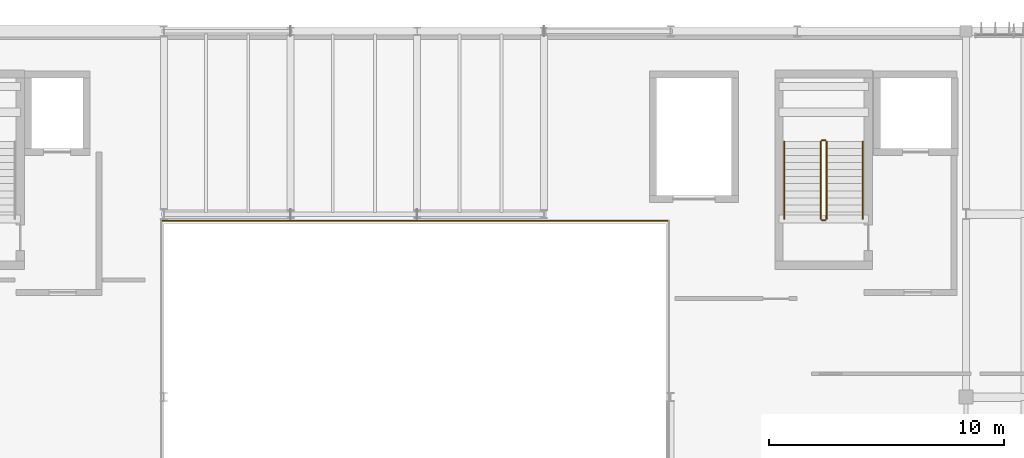
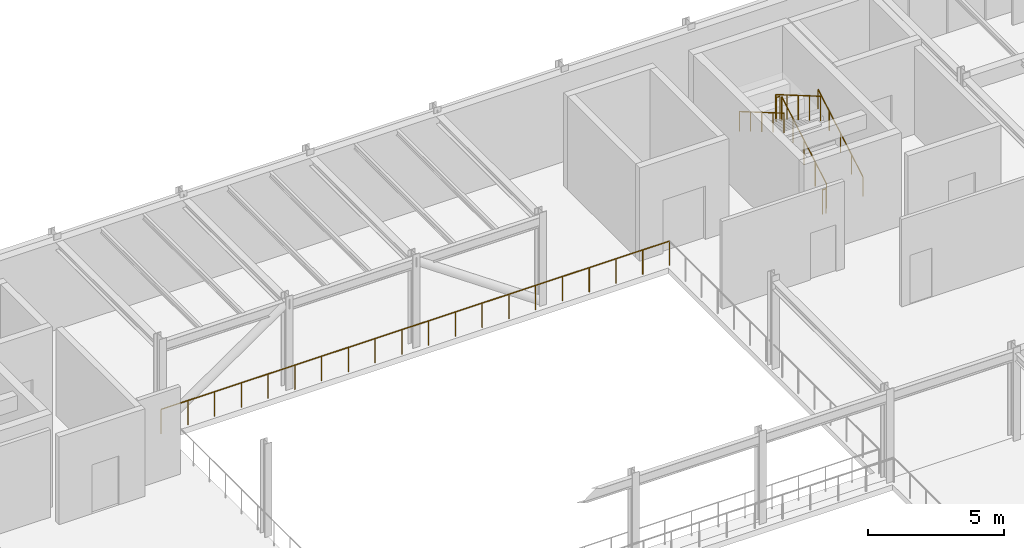
# One storey, part 119 of 122: 7 railings.
"""IFC4 building model written with IfcOpenShell, lengths in metres."""

from ifc_helpers import new_model, si_unit, direction, frame, origin, origin_2d, place, context, subcontext, project, spatial, circle, extrude, material, material_profile, profile_set, type_object, element, save


model = new_model("IFC4")

# Units and contexts
model_context = context("Model", 3, precision=1e-05, world=origin(), true_north=direction((0.0, 1.0)))
body_context = subcontext(model_context, "Body", "Model", "MODEL_VIEW")
ifc_project = project(units=[si_unit("LENGTHUNIT", "METRE"), si_unit("AREAUNIT", "SQUARE_METRE"), si_unit("VOLUMEUNIT", "CUBIC_METRE"), si_unit("PLANEANGLEUNIT", "RADIAN"), si_unit("MASSUNIT", "GRAM", prefix="KILO")], contexts=[model_context])

# Site, building, storey
site_placement = place(None, origin())
site = spatial("IfcSite", under=ifc_project, at=site_placement, CompositionType="ELEMENT")
building_placement = place(site_placement, origin())
building = spatial("IfcBuilding", under=site, at=building_placement, Name="Tazoul Stagehouse", CompositionType="ELEMENT")
storey_placement = place(building_placement, frame((0.0, 0.0, 4.800048828125)))
storey = spatial("IfcBuildingStorey", under=building, at=storey_placement, Name="L01", CompositionType="ELEMENT", Elevation=4.800048828125)

# Railings
ifc_material = material(Name="Brushed Stainless Steel 316L", Category="steel")
ifc_material_profile_1 = material_profile(ifc_material, circle(Radius=0.02392578125, at=origin_2d()), Name="SS RAIL D48")
ifc_profile_set_1 = profile_set([ifc_material_profile_1], Name="Brushed Stainless Steel 316L")
railing_type_1 = type_object("IfcRailingType", Name="Architectural Guardrail H1120", PredefinedType="GUARDRAIL", material=ifc_profile_set_1)
railing_1_placement = place(storey_placement, frame((96.64990234375, 103.800048828125, 0.175048828125)))
element("IfcRailing", 1, at=railing_1_placement, inside=storey, type_object=railing_type_1, Name="L01 ST-01 stair guard 1", PredefinedType="GUARDRAIL", context=body_context, shape_type="SweptSolid", body=[
    extrude(circle(Radius=0.02392578125, at=origin_2d()), frame((0.0, 0.0, 1.09619140625), z_axis=(0.0, 0.863804395585, 0.503827317807), x_axis=(-1.0, 0.0, 0.0)), (0.0, 0.0, 1.0), 3.8203125),
    extrude(circle(Radius=0.02099609375, at=origin_2d()), origin(), (0.0, 0.0, 1.0), 1.072021484375),
    extrude(circle(Radius=0.02099609375, at=origin_2d()), frame((0.0, 0.824951171875, 0.481201171875)), (0.0, 0.0, 1.0), 1.072021484375),
    extrude(circle(Radius=0.02099609375, at=origin_2d()), frame((0.0, 1.64990234375, 0.96240234375)), (0.0, 0.0, 1.0), 1.072021484375),
    extrude(circle(Radius=0.02099609375, at=origin_2d()), frame((0.0, 2.47509765625, 1.443603515625)), (0.0, 0.0, 1.0), 1.072021484375),
    extrude(circle(Radius=0.02099609375, at=origin_2d()), frame((0.0, 3.300048828125, 1.9248046875)), (0.0, 0.0, 1.0), 1.072021484375),
])
railing_2_placement = place(storey_placement, frame((96.60009765625, 107.14990234375, 2.099853515625)))
element("IfcRailing", 2, at=railing_2_placement, inside=storey, type_object=railing_type_1, Name="L01 ST-01 stair guard 2", PredefinedType="GUARDRAIL", context=body_context, shape_type="SweptSolid", body=[
    extrude(circle(Radius=0.02392578125, at=origin_2d()), frame((0.0, 0.0, 1.09619140625), z_axis=(-1.0, 0.0, 0.0), x_axis=(0.0, -1.0, 0.0)), (0.0, 0.0, 1.0), 0.150146484375),
    extrude(circle(Radius=0.02099609375, at=origin_2d()), origin(), (0.0, 0.0, 1.0), 1.072021484375),
    extrude(circle(Radius=0.02099609375, at=origin_2d()), frame((-0.150146484375, 0.0, 0.0)), (0.0, 0.0, 1.0), 1.072021484375),
])
railing_3_placement = place(storey_placement, frame((96.39990234375, 107.10009765625, 2.27490234375)))
element("IfcRailing", 3, at=railing_3_placement, inside=storey, type_object=railing_type_1, Name="L01 ST-01 stair guard 3", PredefinedType="GUARDRAIL", context=body_context, shape_type="SweptSolid", body=[
    extrude(circle(Radius=0.02392578125, at=origin_2d()), frame((0.0, 0.0, 1.09619140625), z_axis=(0.0, -0.863776583165, 0.503874998761), x_axis=(1.0, 0.0, 0.0)), (0.0, 0.0, 1.0), 3.820556640625),
    extrude(circle(Radius=0.02099609375, at=origin_2d()), origin(), (0.0, 0.0, 1.0), 1.072021484375),
    extrude(circle(Radius=0.02099609375, at=origin_2d()), frame((0.0, -0.824951171875, 0.481201171875)), (0.0, 0.0, 1.0), 1.072021484375),
    extrude(circle(Radius=0.02099609375, at=origin_2d()), frame((0.0, -1.64990234375, 0.96240234375)), (0.0, 0.0, 1.0), 1.072021484375),
    extrude(circle(Radius=0.02099609375, at=origin_2d()), frame((0.0, -2.47509765625, 1.44384765625)), (0.0, 0.0, 1.0), 1.072021484375),
    extrude(circle(Radius=0.02099609375, at=origin_2d()), frame((0.0, -3.300048828125, 1.925048828125)), (0.0, 0.0, 1.0), 1.072021484375),
])
railing_4_placement = place(storey_placement, frame((96.60009765625, 103.75, 0.0)))
element("IfcRailing", 4, at=railing_4_placement, inside=storey, type_object=railing_type_1, Name="L01 ST-01 stair guard 4", PredefinedType="GUARDRAIL", context=body_context, shape_type="SweptSolid", body=[
    extrude(circle(Radius=0.02392578125, at=origin_2d()), frame((0.0, 0.0, 1.09619140625), z_axis=(-1.0, 0.0, 0.0), x_axis=(0.0, -1.0, 0.0)), (0.0, 0.0, 1.0), 0.150146484375),
    extrude(circle(Radius=0.02099609375, at=origin_2d()), origin(), (0.0, 0.0, 1.0), 1.072021484375),
    extrude(circle(Radius=0.02099609375, at=origin_2d()), frame((-0.150146484375, 0.0, 0.0)), (0.0, 0.0, 1.0), 1.072021484375),
])
railing_5_placement = place(storey_placement, frame((89.919921875, 103.719970703125, 0.0)))
element("IfcRailing", 5, at=railing_5_placement, inside=storey, type_object=railing_type_1, Name="L01 Open-Edge Guard GRD-01 (GRD-VOID2-N1)", PredefinedType="GUARDRAIL", context=body_context, shape_type="SweptSolid", body=[
    extrude(circle(Radius=0.02392578125, at=origin_2d()), frame((0.0, 0.0, 1.09619140625), z_axis=(-1.0, 0.0, 0.0), x_axis=(0.0, -1.0, 0.0)), (0.0, 0.0, 1.0), 21.639892578125),
    extrude(circle(Radius=0.02099609375, at=origin_2d()), origin(), (0.0, 0.0, 1.0), 1.072021484375),
    extrude(circle(Radius=0.02099609375, at=origin_2d()), frame((-1.138916015625, 0.0, 0.0)), (0.0, 0.0, 1.0), 1.072021484375),
    extrude(circle(Radius=0.02099609375, at=origin_2d()), frame((-2.27783203125, 0.0, 0.0)), (0.0, 0.0, 1.0), 1.072021484375),
    extrude(circle(Radius=0.02099609375, at=origin_2d()), frame((-3.416748046875, 0.0, 0.0)), (0.0, 0.0, 1.0), 1.072021484375),
    extrude(circle(Radius=0.02099609375, at=origin_2d()), frame((-4.5556640625, 0.0, 0.0)), (0.0, 0.0, 1.0), 1.072021484375),
    extrude(circle(Radius=0.02099609375, at=origin_2d()), frame((-5.69482421875, 0.0, 0.0)), (0.0, 0.0, 1.0), 1.072021484375),
    extrude(circle(Radius=0.02099609375, at=origin_2d()), frame((-6.833740234375, 0.0, 0.0)), (0.0, 0.0, 1.0), 1.072021484375),
    extrude(circle(Radius=0.02099609375, at=origin_2d()), frame((-7.97265625, 0.0, 0.0)), (0.0, 0.0, 1.0), 1.072021484375),
    extrude(circle(Radius=0.02099609375, at=origin_2d()), frame((-9.111572265625, 0.0, 0.0)), (0.0, 0.0, 1.0), 1.072021484375),
    extrude(circle(Radius=0.02099609375, at=origin_2d()), frame((-10.25048828125, 0.0, 0.0)), (0.0, 0.0, 1.0), 1.072021484375),
    extrude(circle(Radius=0.02099609375, at=origin_2d()), frame((-11.389404296875, 0.0, 0.0)), (0.0, 0.0, 1.0), 1.072021484375),
    extrude(circle(Radius=0.02099609375, at=origin_2d()), frame((-12.5283203125, 0.0, 0.0)), (0.0, 0.0, 1.0), 1.072021484375),
    extrude(circle(Radius=0.02099609375, at=origin_2d()), frame((-13.667236328125, 0.0, 0.0)), (0.0, 0.0, 1.0), 1.072021484375),
    extrude(circle(Radius=0.02099609375, at=origin_2d()), frame((-14.80615234375, 0.0, 0.0)), (0.0, 0.0, 1.0), 1.072021484375),
    extrude(circle(Radius=0.02099609375, at=origin_2d()), frame((-15.945068359375, 0.0, 0.0)), (0.0, 0.0, 1.0), 1.072021484375),
    extrude(circle(Radius=0.02099609375, at=origin_2d()), frame((-17.084228515625, 0.0, 0.0)), (0.0, 0.0, 1.0), 1.072021484375),
    extrude(circle(Radius=0.02099609375, at=origin_2d()), frame((-18.22314453125, 0.0, 0.0)), (0.0, 0.0, 1.0), 1.072021484375),
    extrude(circle(Radius=0.02099609375, at=origin_2d()), frame((-19.362060546875, 0.0, 0.0)), (0.0, 0.0, 1.0), 1.072021484375),
    extrude(circle(Radius=0.02099609375, at=origin_2d()), frame((-20.5009765625, 0.0, 0.0)), (0.0, 0.0, 1.0), 1.072021484375),
    extrude(circle(Radius=0.02099609375, at=origin_2d()), frame((-21.639892578125, 0.0, 0.0)), (0.0, 0.0, 1.0), 1.072021484375),
])
ifc_material_profile_2 = material_profile(ifc_material, circle(Radius=0.02099609375, at=origin_2d()), Name="SS HANDRAIL D42")
ifc_profile_set_2 = profile_set([ifc_material_profile_2], Name="Brushed Stainless Steel 316L")
railing_type_2 = type_object("IfcRailingType", Name="Continuous Stair Handrail H900", PredefinedType="HANDRAIL", material=ifc_profile_set_2)
railing_6_placement = place(storey_placement, frame((98.199951171875, 103.800048828125, 0.175048828125)))
element("IfcRailing", 6, at=railing_6_placement, inside=storey, type_object=railing_type_2, Name="L01 ST-01 stair handrail 1", PredefinedType="HANDRAIL", context=body_context, shape_type="SweptSolid", body=[
    extrude(circle(Radius=0.02392578125, at=origin_2d()), frame((0.0, 0.0, 0.8759765625), z_axis=(0.0, 0.863804395585, 0.503827317807), x_axis=(-1.0, 0.0, 0.0)), (0.0, 0.0, 1.0), 3.8203125),
    extrude(circle(Radius=0.02099609375, at=origin_2d()), origin(), (0.0, 0.0, 1.0), 0.851806640625),
    extrude(circle(Radius=0.02099609375, at=origin_2d()), frame((0.0, 0.824951171875, 0.481201171875)), (0.0, 0.0, 1.0), 0.851806640625),
    extrude(circle(Radius=0.02099609375, at=origin_2d()), frame((0.0, 1.64990234375, 0.96240234375)), (0.0, 0.0, 1.0), 0.851806640625),
    extrude(circle(Radius=0.02099609375, at=origin_2d()), frame((0.0, 2.47509765625, 1.443603515625)), (0.0, 0.0, 1.0), 0.851806640625),
    extrude(circle(Radius=0.02099609375, at=origin_2d()), frame((0.0, 3.300048828125, 1.9248046875)), (0.0, 0.0, 1.0), 0.851806640625),
])
railing_7_placement = place(storey_placement, frame((94.85009765625, 107.10009765625, 2.27490234375)))
element("IfcRailing", 7, at=railing_7_placement, inside=storey, type_object=railing_type_2, Name="L01 ST-01 stair handrail 2", PredefinedType="HANDRAIL", context=body_context, shape_type="SweptSolid", body=[
    extrude(circle(Radius=0.02392578125, at=origin_2d()), frame((0.0, 0.0, 0.8759765625), z_axis=(0.0, -0.863776583165, 0.503874998761), x_axis=(1.0, 0.0, 0.0)), (0.0, 0.0, 1.0), 3.820556640625),
    extrude(circle(Radius=0.02099609375, at=origin_2d()), origin(), (0.0, 0.0, 1.0), 0.851806640625),
    extrude(circle(Radius=0.02099609375, at=origin_2d()), frame((0.0, -0.824951171875, 0.481201171875)), (0.0, 0.0, 1.0), 0.851806640625),
    extrude(circle(Radius=0.02099609375, at=origin_2d()), frame((0.0, -1.64990234375, 0.96240234375)), (0.0, 0.0, 1.0), 0.851806640625),
    extrude(circle(Radius=0.02099609375, at=origin_2d()), frame((0.0, -2.47509765625, 1.44384765625)), (0.0, 0.0, 1.0), 0.851806640625),
    extrude(circle(Radius=0.02099609375, at=origin_2d()), frame((0.0, -3.300048828125, 1.925048828125)), (0.0, 0.0, 1.0), 0.851806640625),
])

save(model, "model.ifc")
